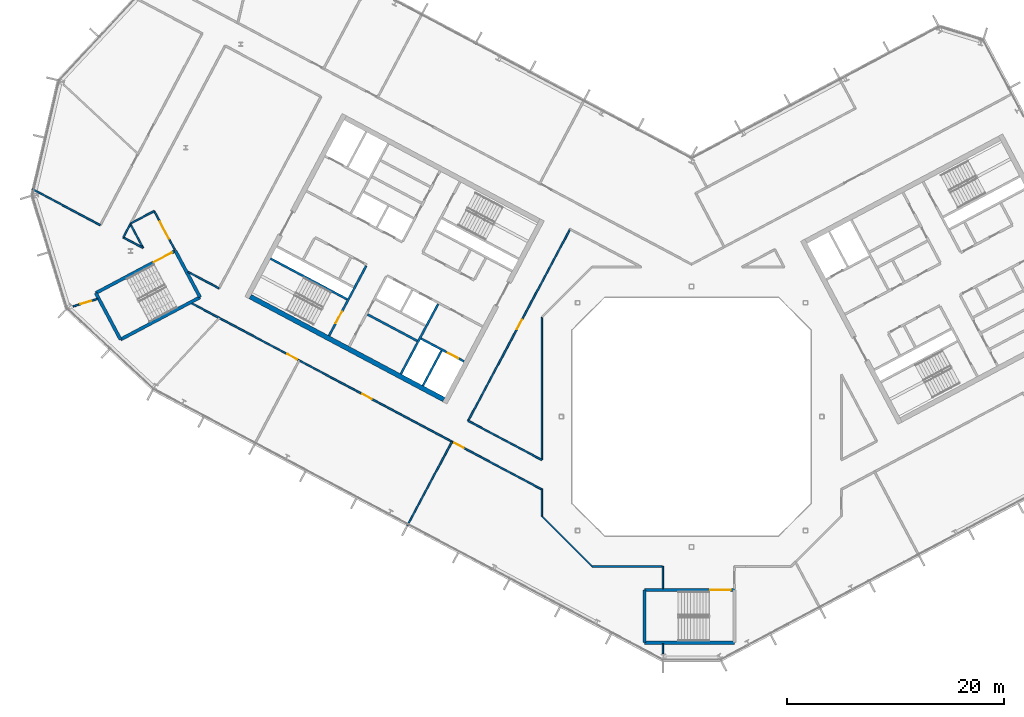
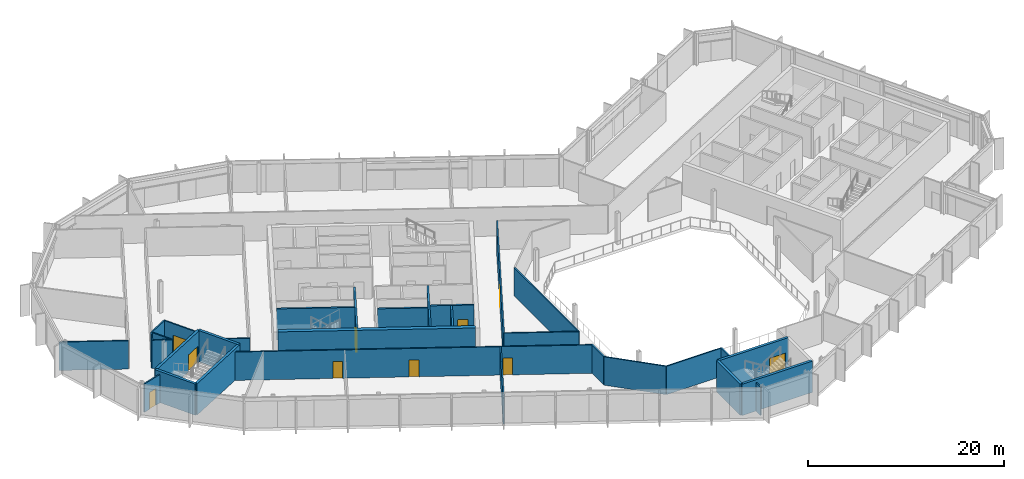
# One storey, part 13 of 26: 32 walls, 10 doors, 10 openings.
"""IFC4 building model written with IfcOpenShell, lengths in metres."""

from ifc_helpers import new_model, si_unit, direction, frame, frame_2d, origin, place, context, subcontext, project, spatial, rectangle, extrude, material, layer, layer_set, type_object, element, fill, save


model = new_model("IFC4")

# Units and contexts
model_context = context("Model", 3, precision=1e-05, world=origin(), true_north=direction((0.0, 1.0)))
body_context = subcontext(model_context, "Body", "Model", "MODEL_VIEW")
ifc_project = project(units=[si_unit("LENGTHUNIT", "METRE"), si_unit("AREAUNIT", "SQUARE_METRE"), si_unit("VOLUMEUNIT", "CUBIC_METRE"), si_unit("PLANEANGLEUNIT", "RADIAN"), si_unit("MASSUNIT", "GRAM", prefix="KILO")], contexts=[model_context])

# Site, building, storey
site_placement = place(None, origin())
site = spatial("IfcSite", under=ifc_project, at=site_placement, CompositionType="ELEMENT")
building_placement = place(site_placement, origin())
building = spatial("IfcBuilding", under=site, at=building_placement, Name="Cormorant Relay Tower", CompositionType="ELEMENT")
storey_placement = place(building_placement, frame((0.0, 0.0, 300.89990234375)))
storey = spatial("IfcBuildingStorey", under=building, at=storey_placement, Name="L68", CompositionType="ELEMENT", Elevation=300.89990234375)

# Walls
ifc_material_1 = material(Name="Concrete 40 MPa", Category="concrete")
ifc_layer_1 = layer(ifc_material_1, 0.199951171875)
ifc_layer_set_1 = layer_set([ifc_layer_1], Name="Core internal wall 200")
wall_type_1 = type_object("IfcWallType", Name="Core internal wall 200", PredefinedType="SOLIDWALL", material=ifc_layer_set_1)
wall_1_placement = place(storey_placement, frame((-25.279541015625, 6.985595703125, 0.0), z_axis=(0.0, 0.0, 1.0), x_axis=(-0.882934506056, 0.469496174655, 0.0)))
element("IfcWall", 1, at=wall_1_placement, inside=storey, type_object=wall_type_1, Name="L68 core A shaft and room wall", PredefinedType="SOLIDWALL", context=body_context, shape_type="SweptSolid", body=[
    extrude(rectangle(XDim=5.199951171875, YDim=0.199951171875, at=frame_2d((2.60009765625, 0.0))), origin(), (0.0, 0.0, 1.0), 3.900146484375),
])
ifc_material_2 = material(Name="Concrete 50 MPa", Category="concrete")
ifc_layer_2 = layer(ifc_material_2, 0.199951171875)
ifc_layer_set_2 = layer_set([ifc_layer_2], Name="Core shaft wall 200")
wall_type_2 = type_object("IfcWallType", Name="Core shaft wall 200", PredefinedType="SHEAR", material=ifc_layer_set_2)
wall_2_placement = place(storey_placement, frame((-23.04296875, 6.07958984375, 0.0), z_axis=(0.0, 0.0, 1.0), x_axis=(-0.469494272526, -0.882935517501, 0.0)))
element("IfcWall", 2, at=wall_2_placement, inside=storey, type_object=wall_type_2, Name="L68 core A shaft wall", PredefinedType="SHEAR", context=body_context, shape_type="SweptSolid", body=[
    extrude(rectangle(XDim=3.64990234375, YDim=0.199951171875, at=frame_2d((1.824951171875, 0.0))), origin(), (0.0, 0.0, 1.0), 3.900146484375),
])
wall_3_placement = place(storey_placement, frame((-23.360107421875, 10.38232421875, 0.0), z_axis=(0.0, 0.0, 1.0), x_axis=(-0.469480409012, -0.88294288918, 0.0)))
element("IfcWall", 3, at=wall_3_placement, inside=storey, type_object=wall_type_2, Name="L68 core A shaft wall", PredefinedType="SHEAR", context=body_context, shape_type="SweptSolid", body=[
    extrude(rectangle(XDim=7.300048828125, YDim=0.199951171875, at=frame_2d((3.64990234375, 0.0))), origin(), (0.0, 0.0, 1.0), 3.900146484375),
])

# Wall, opening, door
wall_4_placement = place(storey_placement, frame((-29.982421875, 13.9033203125, 0.0), z_axis=(0.0, 0.0, 1.0), x_axis=(-0.469454336211, -0.882956752176, 0.0)))
wall_4 = element("IfcWall", 4, at=wall_4_placement, inside=storey, type_object=wall_type_2, Name="L68 core A shaft wall", PredefinedType="SHEAR", context=body_context, shape_type="SweptSolid", body=[
    extrude(rectangle(XDim=7.300048828125, YDim=0.199951171875, at=frame_2d((3.64990234375, 0.0))), origin(), (0.0, 0.0, 1.0), 3.900146484375),
])
opening_1_placement = place(wall_4_placement, frame((4.800048828125, 0.0, 0.0)))
opening_1 = element("IfcOpeningElement", 5, at=opening_1_placement, cuts=wall_4, Name="Opening CDB-039", PredefinedType="OPENING", context=body_context, shape_type="SweptSolid", body=[
    extrude(rectangle(XDim=1.199951171875, YDim=2.10009765625, at=frame_2d((0.60009765625, 1.050048828125))), frame((0.0, 0.10986328125, 0.0), z_axis=(0.0, -1.0, 0.0), x_axis=(1.0, 0.0, 0.0)), (0.0, 0.0, 1.0), 0.219970703125),
])
ifc_material_3 = material(Name="Steel fire door", Category="steel")
door_type_1 = type_object("IfcDoorType", Name="Core stair door 1200x2100", OperationType="SINGLE_SWING_LEFT", PredefinedType="DOOR", material=ifc_material_3)
door_1_placement = place(opening_1_placement, frame((1.199951171875, 0.0, 0.0), z_axis=(0.0, 0.0, 1.0), x_axis=(-1.0, 0.0, 0.0)))
door_1 = element("IfcDoor", 6, at=door_1_placement, inside=storey, type_object=door_type_1, Name="Core stair door 1200x2100", OperationType="SINGLE_SWING_RIGHT", OverallHeight=2.10009765625, OverallWidth=1.199951171875, PredefinedType="DOOR", context=body_context, shape_type="SweptSolid", body=[
    extrude(rectangle(XDim=1.199951171875, YDim=2.10009765625, at=frame_2d((0.60009765625, 1.050048828125))), frame((0.0, 0.02490234375, 0.0), z_axis=(0.0, -1.0, 0.0), x_axis=(1.0, 0.0, 0.0)), (0.0, 0.0, 1.0), 0.050048828125),
])
fill(opening_1, door_1)

wall_5_placement = place(storey_placement, frame((-20.96533203125, 5.088134765625, 0.0), z_axis=(0.0, 0.0, 1.0), x_axis=(-0.882925986334, 0.469512196493, 0.0)))
wall_5 = element("IfcWall", 7, at=wall_5_placement, inside=storey, type_object=wall_type_2, Name="L68 core A shaft wall", PredefinedType="SHEAR", context=body_context, shape_type="SweptSolid", body=[
    extrude(rectangle(XDim=4.5, YDim=0.199951171875, at=frame_2d((2.25, 0.0))), origin(), (0.0, 0.0, 1.0), 3.900146484375),
])
opening_2_placement = place(wall_5_placement, frame((0.60009765625, 0.0, 0.0)))
opening_2 = element("IfcOpeningElement", 8, at=opening_2_placement, cuts=wall_5, Name="Opening LD1-063", PredefinedType="OPENING", context=body_context, shape_type="SweptSolid", body=[
    extrude(rectangle(XDim=1.10009765625, YDim=2.10009765625, at=frame_2d((0.550048828125, 1.050048828125))), frame((0.0, 0.10986328125, 0.0), z_axis=(0.0, -1.0, 0.0), x_axis=(1.0, 0.0, 0.0)), (0.0, 0.0, 1.0), 0.219970703125),
])
ifc_material_4 = material(Name="Stainless steel 316", Category="steel")
door_type_2 = type_object("IfcDoorType", Name="Lift landing door 1100x2100", OperationType="DOUBLE_DOOR_SLIDING", PredefinedType="DOOR", material=ifc_material_4)
door_2_placement = place(opening_2_placement, origin())
door_2 = element("IfcDoor", 9, at=door_2_placement, inside=storey, type_object=door_type_2, Name="FF1 landing door", OperationType="DOUBLE_DOOR_SLIDING", OverallHeight=2.10009765625, OverallWidth=1.10009765625, PredefinedType="DOOR", context=body_context, shape_type="SweptSolid", body=[
    extrude(rectangle(XDim=1.10009765625, YDim=2.10009765625, at=frame_2d((0.550048828125, 1.050048828125))), frame((0.0, 0.02490234375, 0.0), z_axis=(0.0, -1.0, 0.0), x_axis=(1.0, 0.0, 0.0)), (0.0, 0.0, 1.0), 0.050048828125),
])
fill(opening_2, door_2)

# Walls
wall_6_placement = place(storey_placement, frame((-31.7373046875, 10.815673828125, 0.0), z_axis=(0.0, 0.0, 1.0), x_axis=(-0.882940221191, 0.469485426614, 0.0)))
element("IfcWall", 10, at=wall_6_placement, inside=storey, type_object=wall_type_2, Name="L68 core A shaft wall", PredefinedType="SHEAR", context=body_context, shape_type="SweptSolid", body=[
    extrude(rectangle(XDim=8.0, YDim=0.199951171875, at=frame_2d((4.0, 0.0))), origin(), (0.0, 0.0, 1.0), 3.900146484375),
])
ifc_material_5 = material(Name="Concrete 50 MPa", Category="concrete")
ifc_layer_3 = layer(ifc_material_5, 0.449951171875)
ifc_layer_set_3 = layer_set([ifc_layer_3], Name="Core wall 450")
wall_type_3 = type_object("IfcWallType", Name="Core wall 450", PredefinedType="SHEAR", material=ifc_layer_set_3)
wall_7_placement = place(storey_placement, frame((-22.83154296875, 1.578369140625, 0.0), z_axis=(0.0, 0.0, 1.0), x_axis=(-0.88294509198, 0.469476266226, 0.0)))
element("IfcWall", 11, at=wall_7_placement, inside=storey, type_object=wall_type_3, Name="L68 core A wall", PredefinedType="SHEAR", context=body_context, shape_type="SweptSolid", body=[
    extrude(rectangle(XDim=20.199951171875, YDim=0.449951171875, at=frame_2d((10.10009765625, 0.0))), origin(), (0.0, 0.0, 1.0), 3.900146484375),
])
ifc_material_6 = material(Name="Gypsum board fire partition")
ifc_layer_4 = layer(ifc_material_6, 0.14990234375)
ifc_layer_set_4 = layer_set([ifc_layer_4], Name="Corridor partition 150 EI 60")
wall_type_4 = type_object("IfcWallType", Name="Corridor partition 150 EI 60", PredefinedType="PARTITIONING", material=ifc_layer_set_4)
wall_8_placement = place(storey_placement, frame((-54.492919921875, 17.64892578125, 0.0), z_axis=(0.0, 0.0, 1.0), x_axis=(-0.882938254124, 0.469489125971, 0.0)))
element("IfcWall", 12, at=wall_8_placement, inside=storey, type_object=wall_type_4, Name="wall/L68/part/004", PredefinedType="PARTITIONING", context=body_context, shape_type="SweptSolid", body=[
    extrude(rectangle(XDim=7.127197265625, YDim=0.14990234375, at=frame_2d((3.5634765625, 0.0))), origin(), (0.0, 0.0, 1.0), 3.5400390625),
])

# Wall, opening, door
wall_9_placement = place(storey_placement, frame((-54.73193359375, 10.85693359375, 0.0), z_axis=(0.0, 0.0, 1.0), x_axis=(-0.956231519395, -0.292611143525, 0.0)))
wall_9 = element("IfcWall", 13, at=wall_9_placement, inside=storey, type_object=wall_type_4, Name="wall/L68/part/005", PredefinedType="PARTITIONING", context=body_context, shape_type="SweptSolid", body=[
    extrude(rectangle(XDim=2.385498046875, YDim=0.14990234375, at=frame_2d((1.19287109375, 0.0))), origin(), (0.0, 0.0, 1.0), 3.5400390625),
])
opening_3_placement = place(wall_9_placement, frame((0.64990234375, 0.0, 0.0)))
opening_3 = element("IfcOpeningElement", 14, at=opening_3_placement, cuts=wall_9, Name="Opening DS-236", PredefinedType="OPENING", context=body_context, shape_type="SweptSolid", body=[
    extrude(rectangle(XDim=1.0, YDim=2.10009765625, at=frame_2d((0.5, 1.050048828125))), frame((0.0, 0.0849609375, 0.0), z_axis=(0.0, -1.0, 0.0), x_axis=(1.0, 0.0, 0.0)), (0.0, 0.0, 1.0), 0.169921875),
])
ifc_material_7 = material(Name="Timber door leaf", Category="wood")
door_type_3 = type_object("IfcDoorType", Name="Suite door 1000x2100", OperationType="SINGLE_SWING_LEFT", PredefinedType="DOOR", material=ifc_material_7)
door_3_placement = place(opening_3_placement, frame((1.0, 0.0, 0.0), z_axis=(0.0, 0.0, 1.0), x_axis=(-1.0, 0.0, 0.0)))
door_3 = element("IfcDoor", 15, at=door_3_placement, inside=storey, type_object=door_type_3, Name="door/L68/008", OperationType="SINGLE_SWING_RIGHT", OverallHeight=2.10009765625, OverallWidth=1.0, PredefinedType="DOOR", context=body_context, shape_type="SweptSolid", body=[
    extrude(rectangle(XDim=1.0, YDim=2.10009765625, at=frame_2d((0.5, 1.050048828125))), frame((0.0, 0.02490234375, 0.0), z_axis=(0.0, -1.0, 0.0), x_axis=(1.0, 0.0, 0.0)), (0.0, 0.0, 1.0), 0.050048828125),
])
fill(opening_3, door_3)

wall_10_placement = place(storey_placement, frame((-47.62109375, 15.3779296875, 0.0), z_axis=(0.0, 0.0, 1.0), x_axis=(-0.469542997944, 0.882909606404, 0.0)))
wall_10 = element("IfcWall", 16, at=wall_10_placement, inside=storey, type_object=wall_type_4, Name="wall/L68/part/010", PredefinedType="PARTITIONING", context=body_context, shape_type="SweptSolid", body=[
    extrude(rectangle(XDim=4.050537109375, YDim=0.14990234375, at=frame_2d((2.025390625, 0.0))), origin(), (0.0, 0.0, 1.0), 3.5400390625),
])
opening_4_placement = place(wall_10_placement, frame((1.14990234375, 0.0, 0.0)))
opening_4 = element("IfcOpeningElement", 17, at=opening_4_placement, cuts=wall_10, Name="Opening DD-040", PredefinedType="OPENING", context=body_context, shape_type="SweptSolid", body=[
    extrude(rectangle(XDim=1.800048828125, YDim=2.10009765625, at=frame_2d((0.89990234375, 1.050048828125))), frame((0.0, 0.0849609375, 0.0), z_axis=(0.0, -1.0, 0.0), x_axis=(1.0, 0.0, 0.0)), (0.0, 0.0, 1.0), 0.169921875),
])
ifc_material_8 = material(Name="Timber door leaf", Category="wood")
door_type_4 = type_object("IfcDoorType", Name="Suite double door 1800x2100", OperationType="DOUBLE_DOOR_SINGLE_SWING", PredefinedType="DOOR", material=ifc_material_8)
door_4_placement = place(opening_4_placement, origin())
door_4 = element("IfcDoor", 18, at=door_4_placement, inside=storey, type_object=door_type_4, Name="door/L68/003", OperationType="DOUBLE_DOOR_SINGLE_SWING", OverallHeight=2.10009765625, OverallWidth=1.800048828125, PredefinedType="DOOR", context=body_context, shape_type="SweptSolid", body=[
    extrude(rectangle(XDim=1.800048828125, YDim=2.10009765625, at=frame_2d((0.89990234375, 1.050048828125))), frame((0.0, 0.02490234375, 0.0), z_axis=(0.0, -1.0, 0.0), x_axis=(1.0, 0.0, 0.0)), (0.0, 0.0, 1.0), 0.050048828125),
])
fill(opening_4, door_4)

# Walls
wall_11_placement = place(storey_placement, frame((-49.52294921875, 18.9541015625, 0.0), z_axis=(0.0, 0.0, 1.0), x_axis=(-0.882767334528, -0.469810422501, 0.0)))
element("IfcWall", 19, at=wall_11_placement, inside=storey, type_object=wall_type_4, Name="wall/L68/part/011", PredefinedType="PARTITIONING", context=body_context, shape_type="SweptSolid", body=[
    extrude(rectangle(XDim=2.460693359375, YDim=0.14990234375, at=frame_2d((1.23046875, 0.0))), origin(), (0.0, 0.0, 1.0), 3.5400390625),
])
wall_12_placement = place(storey_placement, frame((-43.5439453125, 11.826904296875, 0.0), z_axis=(0.0, 0.0, 1.0), x_axis=(-0.882974130461, 0.469421649411, 0.0)))
element("IfcWall", 20, at=wall_12_placement, inside=storey, type_object=wall_type_4, Name="wall/L68/part/015", PredefinedType="PARTITIONING", context=body_context, shape_type="SweptSolid", body=[
    extrude(rectangle(XDim=3.238037109375, YDim=0.14990234375, at=frame_2d((1.619140625, 0.0))), origin(), (0.0, 0.0, 1.0), 3.5400390625),
])

# Wall, openings, doors
wall_13_placement = place(storey_placement, frame((-13.800048828125, -6.7060546875, 0.0), z_axis=(0.0, 0.0, 1.0), x_axis=(-0.882947286887, 0.469472138235, 0.0)))
wall_13 = element("IfcWall", 21, at=wall_13_placement, inside=storey, type_object=wall_type_4, Name="wall/L68/part/016", PredefinedType="PARTITIONING", context=body_context, shape_type="SweptSolid", body=[
    extrude(rectangle(XDim=36.57080078125, YDim=0.14990234375, at=frame_2d((18.285400390625, 0.0))), origin(), (0.0, 0.0, 1.0), 3.5400390625),
])
opening_5_placement = place(wall_13_placement, frame((25.550048828125, 0.0, 0.0)))
opening_5 = element("IfcOpeningElement", 22, at=opening_5_placement, cuts=wall_13, Name="Opening DS-237", PredefinedType="OPENING", context=body_context, shape_type="SweptSolid", body=[
    extrude(rectangle(XDim=1.0, YDim=2.10009765625, at=frame_2d((0.5, 1.050048828125))), frame((0.0, 0.0849609375, 0.0), z_axis=(0.0, -1.0, 0.0), x_axis=(1.0, 0.0, 0.0)), (0.0, 0.0, 1.0), 0.169921875),
])
opening_6_placement = place(wall_13_placement, frame((17.75, 0.0, 0.0)))
opening_6 = element("IfcOpeningElement", 23, at=opening_6_placement, cuts=wall_13, Name="Opening DS-238", PredefinedType="OPENING", context=body_context, shape_type="SweptSolid", body=[
    extrude(rectangle(XDim=1.0, YDim=2.10009765625, at=frame_2d((0.5, 1.050048828125))), frame((0.0, 0.0849609375, 0.0), z_axis=(0.0, -1.0, 0.0), x_axis=(1.0, 0.0, 0.0)), (0.0, 0.0, 1.0), 0.169921875),
])
opening_7_placement = place(wall_13_placement, frame((8.14990234375, 0.0, 0.0)))
opening_7 = element("IfcOpeningElement", 24, at=opening_7_placement, cuts=wall_13, Name="Opening DS-239", PredefinedType="OPENING", context=body_context, shape_type="SweptSolid", body=[
    extrude(rectangle(XDim=1.0, YDim=2.10009765625, at=frame_2d((0.5, 1.050048828125))), frame((0.0, 0.0849609375, 0.0), z_axis=(0.0, -1.0, 0.0), x_axis=(1.0, 0.0, 0.0)), (0.0, 0.0, 1.0), 0.169921875),
])
door_5_placement = place(opening_5_placement, frame((1.0, 0.0, 0.0), z_axis=(0.0, 0.0, 1.0), x_axis=(-1.0, 0.0, 0.0)))
door_5 = element("IfcDoor", 25, at=door_5_placement, inside=storey, type_object=door_type_3, Name="door/L68/009", OperationType="SINGLE_SWING_RIGHT", OverallHeight=2.10009765625, OverallWidth=1.0, PredefinedType="DOOR", context=body_context, shape_type="SweptSolid", body=[
    extrude(rectangle(XDim=1.0, YDim=2.10009765625, at=frame_2d((0.5, 1.050048828125))), frame((0.0, 0.02490234375, 0.0), z_axis=(0.0, -1.0, 0.0), x_axis=(1.0, 0.0, 0.0)), (0.0, 0.0, 1.0), 0.050048828125),
])
fill(opening_5, door_5)
door_6_placement = place(opening_6_placement, frame((1.0, 0.0, 0.0), z_axis=(0.0, 0.0, 1.0), x_axis=(-1.0, 0.0, 0.0)))
door_6 = element("IfcDoor", 26, at=door_6_placement, inside=storey, type_object=door_type_3, Name="door/L68/010", OperationType="SINGLE_SWING_RIGHT", OverallHeight=2.10009765625, OverallWidth=1.0, PredefinedType="DOOR", context=body_context, shape_type="SweptSolid", body=[
    extrude(rectangle(XDim=1.0, YDim=2.10009765625, at=frame_2d((0.5, 1.050048828125))), frame((0.0, 0.02490234375, 0.0), z_axis=(0.0, -1.0, 0.0), x_axis=(1.0, 0.0, 0.0)), (0.0, 0.0, 1.0), 0.050048828125),
])
fill(opening_6, door_6)
door_7_placement = place(opening_7_placement, frame((1.0, 0.0, 0.0), z_axis=(0.0, 0.0, 1.0), x_axis=(-1.0, 0.0, 0.0)))
door_7 = element("IfcDoor", 27, at=door_7_placement, inside=storey, type_object=door_type_3, Name="door/L68/011", OperationType="SINGLE_SWING_RIGHT", OverallHeight=2.10009765625, OverallWidth=1.0, PredefinedType="DOOR", context=body_context, shape_type="SweptSolid", body=[
    extrude(rectangle(XDim=1.0, YDim=2.10009765625, at=frame_2d((0.5, 1.050048828125))), frame((0.0, 0.02490234375, 0.0), z_axis=(0.0, -1.0, 0.0), x_axis=(1.0, 0.0, 0.0)), (0.0, 0.0, 1.0), 0.050048828125),
])
fill(opening_7, door_7)

# Walls
wall_14_placement = place(storey_placement, frame((-2.693115234375, -13.800048828125, 0.0), z_axis=(0.0, 0.0, 1.0), x_axis=(-1.0, 0.0, 0.0)))
element("IfcWall", 28, at=wall_14_placement, inside=storey, type_object=wall_type_4, Name="wall/L68/part/022", PredefinedType="PARTITIONING", context=body_context, shape_type="SweptSolid", body=[
    extrude(rectangle(XDim=6.466796875, YDim=0.14990234375, at=frame_2d((3.2333984375, 0.0))), origin(), (0.0, 0.0, 1.0), 3.5400390625),
])
wall_15_placement = place(storey_placement, frame((-9.159912109375, -13.800048828125, 0.0), z_axis=(0.0, 0.0, 1.0), x_axis=(-0.707106781187, 0.707106781187, 0.0)))
element("IfcWall", 29, at=wall_15_placement, inside=storey, type_object=wall_type_4, Name="wall/L68/part/023", PredefinedType="PARTITIONING", context=body_context, shape_type="SweptSolid", body=[
    extrude(rectangle(XDim=6.562255859375, YDim=0.14990234375, at=frame_2d((3.28125, 0.0))), origin(), (0.0, 0.0, 1.0), 3.5400390625),
])
wall_16_placement = place(storey_placement, frame((-13.800048828125, -9.159912109375, 0.0), z_axis=(0.0, 0.0, 1.0), x_axis=(0.0, 1.0, 0.0)))
element("IfcWall", 30, at=wall_16_placement, inside=storey, type_object=wall_type_4, Name="wall/L68/part/024", PredefinedType="PARTITIONING", context=body_context, shape_type="SweptSolid", body=[
    extrude(rectangle(XDim=2.50390625, YDim=0.14990234375, at=frame_2d((1.251953125, 0.0))), origin(), (0.0, 0.0, 1.0), 3.5400390625),
])
wall_17_placement = place(storey_placement, frame((-2.64892578125, -15.875, 0.0), z_axis=(0.0, 0.0, 1.0), x_axis=(0.0, 1.0, 0.0)))
element("IfcWall", 31, at=wall_17_placement, inside=storey, type_object=wall_type_4, Name="wall/L68/part/026", PredefinedType="PARTITIONING", context=body_context, shape_type="SweptSolid", body=[
    extrude(rectangle(XDim=2.074951171875, YDim=0.14990234375, at=frame_2d((1.03759765625, 0.0))), origin(), (0.0, 0.0, 1.0), 3.5400390625),
])
wall_18_placement = place(storey_placement, frame((-51.717041015625, 17.757080078125, 0.0), z_axis=(0.0, 0.0, 1.0), x_axis=(-0.469618761384, -0.882869310236, 0.0)))
element("IfcWall", 32, at=wall_18_placement, inside=storey, type_object=wall_type_4, Name="wall/L68/part/043", PredefinedType="PARTITIONING", context=body_context, shape_type="SweptSolid", body=[
    extrude(rectangle(XDim=1.39892578125, YDim=0.14990234375, at=frame_2d((0.699462890625, 0.0))), origin(), (0.0, 0.0, 1.0), 3.5400390625),
])
wall_19_placement = place(storey_placement, frame((-52.3740234375, 16.52197265625, 0.0), z_axis=(0.0, 0.0, 1.0), x_axis=(0.882981472085, -0.469407839682, 0.0)))
element("IfcWall", 33, at=wall_19_placement, inside=storey, type_object=wall_type_4, Name="wall/L68/part/044", PredefinedType="PARTITIONING", context=body_context, shape_type="SweptSolid", body=[
    extrude(rectangle(XDim=2.072509765625, YDim=0.14990234375, at=frame_2d((1.0361328125, 0.0))), origin(), (0.0, 0.0, 1.0), 3.5400390625),
])
wall_20_placement = place(storey_placement, frame((-50.5439453125, 15.549072265625, 0.0), z_axis=(0.0, 0.0, 1.0), x_axis=(-0.469183782948, 0.883100547967, 0.0)))
element("IfcWall", 34, at=wall_20_placement, inside=storey, type_object=wall_type_4, Name="wall/L68/part/045", PredefinedType="PARTITIONING", context=body_context, shape_type="SweptSolid", body=[
    extrude(rectangle(XDim=2.500244140625, YDim=0.14990234375, at=frame_2d((1.25, 0.0))), origin(), (0.0, 0.0, 1.0), 3.5400390625),
])

# Wall, opening, door
wall_21_placement = place(storey_placement, frame((-20.587890625, -0.37890625, 0.0), z_axis=(0.0, 0.0, 1.0), x_axis=(0.469489882812, 0.882937851685, 0.0)))
wall_21 = element("IfcWall", 35, at=wall_21_placement, inside=storey, type_object=wall_type_4, Name="wall/L68/part/046", PredefinedType="PARTITIONING", context=body_context, shape_type="SweptSolid", body=[
    extrude(rectangle(XDim=20.000244140625, YDim=0.14990234375, at=frame_2d((10.0, 0.0))), origin(), (0.0, 0.0, 1.0), 3.5400390625),
])
opening_8_placement = place(wall_21_placement, frame((9.550048828125, 0.0, 0.0)))
opening_8 = element("IfcOpeningElement", 36, at=opening_8_placement, cuts=wall_21, Name="Opening DS-234", PredefinedType="OPENING", context=body_context, shape_type="SweptSolid", body=[
    extrude(rectangle(XDim=1.0, YDim=2.10009765625, at=frame_2d((0.5, 1.050048828125))), frame((0.0, 0.0849609375, 0.0), z_axis=(0.0, -1.0, 0.0), x_axis=(1.0, 0.0, 0.0)), (0.0, 0.0, 1.0), 0.169921875),
])
door_8_placement = place(opening_8_placement, origin())
door_8 = element("IfcDoor", 37, at=door_8_placement, inside=storey, type_object=door_type_3, Name="door/L68/004", OperationType="SINGLE_SWING_RIGHT", OverallHeight=2.10009765625, OverallWidth=1.0, PredefinedType="DOOR", context=body_context, shape_type="SweptSolid", body=[
    extrude(rectangle(XDim=1.0, YDim=2.10009765625, at=frame_2d((0.5, 1.050048828125))), frame((0.0, 0.02490234375, 0.0), z_axis=(0.0, -1.0, 0.0), x_axis=(1.0, 0.0, 0.0)), (0.0, 0.0, 1.0), 0.050048828125),
])
fill(opening_8, door_8)

# Walls
wall_22_placement = place(storey_placement, frame((-13.800048828125, 9.159912109375, 0.0), z_axis=(0.0, 0.0, 1.0), x_axis=(0.0, -1.0, 0.0)))
element("IfcWall", 38, at=wall_22_placement, inside=storey, type_object=wall_type_4, Name="wall/L68/part/050", PredefinedType="PARTITIONING", context=body_context, shape_type="SweptSolid", body=[
    extrude(rectangle(XDim=13.14794921875, YDim=0.14990234375, at=frame_2d((6.573974609375, 0.0))), origin(), (0.0, 0.0, 1.0), 3.5400390625),
])
wall_23_placement = place(storey_placement, frame((-13.800048828125, -3.988037109375, 0.0), z_axis=(0.0, 0.0, 1.0), x_axis=(-0.882949137368, 0.469468657976, 0.0)))
element("IfcWall", 39, at=wall_23_placement, inside=storey, type_object=wall_type_4, Name="wall/L68/part/051", PredefinedType="PARTITIONING", context=body_context, shape_type="SweptSolid", body=[
    extrude(rectangle(XDim=7.687744140625, YDim=0.14990234375, at=frame_2d((3.84375, 0.0))), origin(), (0.0, 0.0, 1.0), 3.5400390625),
])
ifc_material_9 = material(Name="Concrete 50 MPa", Category="concrete")
ifc_layer_5 = layer(ifc_material_9, 0.300048828125)
ifc_layer_set_5 = layer_set([ifc_layer_5], Name="Remote stair wall 300")
wall_type_5 = type_object("IfcWallType", Name="Remote stair wall 300", PredefinedType="SHEAR", material=ifc_layer_set_5)
wall_24_placement = place(storey_placement, frame((3.949951171875, -20.824951171875, 0.0), z_axis=(0.0, 0.0, 1.0), x_axis=(-1.0, 0.0, 0.0)))
element("IfcWall", 40, at=wall_24_placement, inside=storey, type_object=wall_type_5, Name="L68 exit stair RK1 wall", PredefinedType="SHEAR", context=body_context, shape_type="SweptSolid", body=[
    extrude(rectangle(XDim=8.300048828125, YDim=0.300048828125, at=frame_2d((4.14990234375, 0.0))), origin(), (0.0, 0.0, 1.0), 3.900146484375),
])
wall_25_placement = place(storey_placement, frame((-4.35009765625, -20.824951171875, 0.0), z_axis=(0.0, 0.0, 1.0), x_axis=(0.0, 1.0, 0.0)))
element("IfcWall", 41, at=wall_25_placement, inside=storey, type_object=wall_type_5, Name="L68 exit stair RK1 wall", PredefinedType="SHEAR", context=body_context, shape_type="SweptSolid", body=[
    extrude(rectangle(XDim=4.849853515625, YDim=0.300048828125, at=frame_2d((2.4248046875, 0.0))), origin(), (0.0, 0.0, 1.0), 3.900146484375),
])

# Wall, opening, door
wall_26_placement = place(storey_placement, frame((-4.35009765625, -15.97509765625, 0.0), z_axis=(0.0, 0.0, 1.0), x_axis=(1.0, 0.0, 0.0)))
wall_26 = element("IfcWall", 42, at=wall_26_placement, inside=storey, type_object=wall_type_5, Name="L68 exit stair RK1 wall", PredefinedType="SHEAR", context=body_context, shape_type="SweptSolid", body=[
    extrude(rectangle(XDim=8.300048828125, YDim=0.300048828125, at=frame_2d((4.14990234375, 0.0))), origin(), (0.0, 0.0, 1.0), 3.900146484375),
])
opening_9_placement = place(wall_26_placement, frame((6.050048828125, 0.0, 0.0)))
opening_9 = element("IfcOpeningElement", 43, at=opening_9_placement, cuts=wall_26, Name="Opening CDE-016", PredefinedType="OPENING", context=body_context, shape_type="SweptSolid", body=[
    extrude(rectangle(XDim=1.89990234375, YDim=2.10009765625, at=frame_2d((0.949951171875, 1.050048828125))), frame((0.0, 0.159912109375, 0.0), z_axis=(0.0, -1.0, 0.0), x_axis=(1.0, 0.0, 0.0)), (0.0, 0.0, 1.0), 0.320068359375),
])
ifc_material_10 = material(Name="Steel fire door", Category="steel")
door_type_5 = type_object("IfcDoorType", Name="Remote stair door 1900x2100", OperationType="DOUBLE_DOOR_SINGLE_SWING", PredefinedType="DOOR", material=ifc_material_10)
door_9_placement = place(opening_9_placement, origin())
door_9 = element("IfcDoor", 44, at=door_9_placement, inside=storey, type_object=door_type_5, Name="Exit stair RK1 door", OperationType="DOUBLE_DOOR_SINGLE_SWING", OverallHeight=2.10009765625, OverallWidth=1.89990234375, PredefinedType="DOOR", context=body_context, shape_type="SweptSolid", body=[
    extrude(rectangle(XDim=1.89990234375, YDim=2.10009765625, at=frame_2d((0.949951171875, 1.050048828125))), frame((0.0, 0.02490234375, 0.0), z_axis=(0.0, -1.0, 0.0), x_axis=(1.0, 0.0, 0.0)), (0.0, 0.0, 1.0), 0.050048828125),
])
fill(opening_9, door_9)

# Walls
wall_27_placement = place(storey_placement, frame((-47.57421875, 15.28955078125, 0.0), z_axis=(0.0, 0.0, 1.0), x_axis=(0.469443498566, -0.882962514297, 0.0)))
element("IfcWall", 45, at=wall_27_placement, inside=storey, type_object=wall_type_5, Name="L68 exit stair RP1 wall", PredefinedType="SHEAR", context=body_context, shape_type="SweptSolid", body=[
    extrude(rectangle(XDim=4.85009765625, YDim=0.300048828125, at=frame_2d((2.425048828125, 0.0))), origin(), (0.0, 0.0, 1.0), 3.900146484375),
])
wall_28_placement = place(storey_placement, frame((-45.29736328125, 11.007080078125, 0.0), z_axis=(0.0, 0.0, 1.0), x_axis=(-0.882951519127, -0.469464178475, 0.0)))
element("IfcWall", 46, at=wall_28_placement, inside=storey, type_object=wall_type_5, Name="L68 exit stair RP1 wall", PredefinedType="SHEAR", context=body_context, shape_type="SweptSolid", body=[
    extrude(rectangle(XDim=8.2998046875, YDim=0.300048828125, at=frame_2d((4.14990234375, 0.0))), origin(), (0.0, 0.0, 1.0), 3.900146484375),
])
wall_29_placement = place(storey_placement, frame((-52.625732421875, 7.110595703125, 0.0), z_axis=(0.0, 0.0, 1.0), x_axis=(-0.469464364128, 0.882951420416, 0.0)))
element("IfcWall", 47, at=wall_29_placement, inside=storey, type_object=wall_type_5, Name="L68 exit stair RP1 wall", PredefinedType="SHEAR", context=body_context, shape_type="SweptSolid", body=[
    extrude(rectangle(XDim=4.849853515625, YDim=0.300048828125, at=frame_2d((2.4248046875, 0.0))), origin(), (0.0, 0.0, 1.0), 3.900146484375),
])

# Wall, opening, door
wall_30_placement = place(storey_placement, frame((-54.902587890625, 11.392822265625, 0.0), z_axis=(0.0, 0.0, 1.0), x_axis=(0.882939326045, 0.469487110071, 0.0)))
wall_30 = element("IfcWall", 48, at=wall_30_placement, inside=storey, type_object=wall_type_5, Name="L68 exit stair RP1 wall", PredefinedType="SHEAR", context=body_context, shape_type="SweptSolid", body=[
    extrude(rectangle(XDim=8.300048828125, YDim=0.300048828125, at=frame_2d((4.14990234375, 0.0))), origin(), (0.0, 0.0, 1.0), 3.900146484375),
])
opening_10_placement = place(wall_30_placement, frame((6.050048828125, 0.0, 0.0)))
opening_10 = element("IfcOpeningElement", 49, at=opening_10_placement, cuts=wall_30, Name="Opening CDE-017", PredefinedType="OPENING", context=body_context, shape_type="SweptSolid", body=[
    extrude(rectangle(XDim=1.89990234375, YDim=2.10009765625, at=frame_2d((0.949951171875, 1.050048828125))), frame((0.0, 0.159912109375, 0.0), z_axis=(0.0, -1.0, 0.0), x_axis=(1.0, 0.0, 0.0)), (0.0, 0.0, 1.0), 0.320068359375),
])
door_10_placement = place(opening_10_placement, origin())
door_10 = element("IfcDoor", 50, at=door_10_placement, inside=storey, type_object=door_type_5, Name="Exit stair RP1 door", OperationType="DOUBLE_DOOR_SINGLE_SWING", OverallHeight=2.10009765625, OverallWidth=1.89990234375, PredefinedType="DOOR", context=body_context, shape_type="SweptSolid", body=[
    extrude(rectangle(XDim=1.89990234375, YDim=2.10009765625, at=frame_2d((0.949951171875, 1.050048828125))), frame((0.0, 0.02490234375, 0.0), z_axis=(0.0, -1.0, 0.0), x_axis=(1.0, 0.0, 0.0)), (0.0, 0.0, 1.0), 0.050048828125),
])
fill(opening_10, door_10)

# Walls
ifc_material_11 = material(Name="Gypsum board partition")
ifc_layer_6 = layer(ifc_material_11, 0.14990234375)
ifc_layer_set_6 = layer_set([ifc_layer_6], Name="Tenant partition 150")
wall_type_6 = type_object("IfcWallType", Name="Tenant partition 150", PredefinedType="PARTITIONING", material=ifc_layer_set_6)
wall_31_placement = place(storey_placement, frame((-22.0830078125, -2.302001953125, 0.0), z_axis=(0.0, 0.0, 1.0), x_axis=(-0.469445946219, -0.882961212952, 0.0)))
element("IfcWall", 51, at=wall_31_placement, inside=storey, type_object=wall_type_6, Name="wall/L68/part/019", PredefinedType="PARTITIONING", context=body_context, shape_type="SweptSolid", body=[
    extrude(rectangle(XDim=8.800048828125, YDim=0.14990234375, at=frame_2d((4.39990234375, 0.0))), origin(), (0.0, 0.0, 1.0), 3.5400390625),
])
wall_32_placement = place(storey_placement, frame((-2.64892578125, -20.925048828125, 0.0), z_axis=(0.0, 0.0, 1.0), x_axis=(0.0, -1.0, 0.0)))
element("IfcWall", 52, at=wall_32_placement, inside=storey, type_object=wall_type_6, Name="wall/L68/part/027", PredefinedType="PARTITIONING", context=body_context, shape_type="SweptSolid", body=[
    extrude(rectangle(XDim=0.966064453125, YDim=0.14990234375, at=frame_2d((0.48291015625, 0.0))), origin(), (0.0, 0.0, 1.0), 3.5400390625),
])

save(model, "model.ifc")
